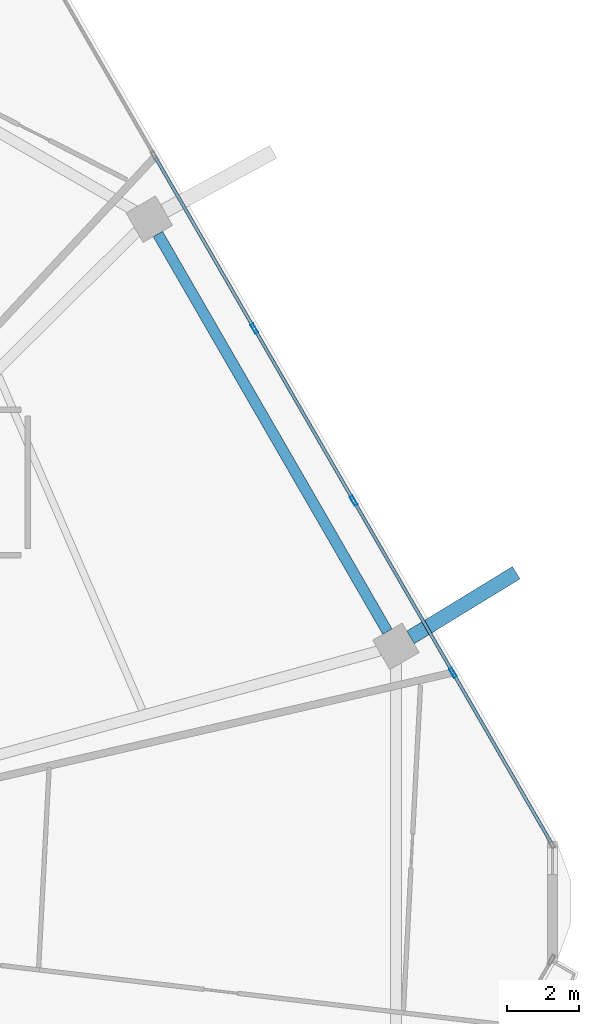
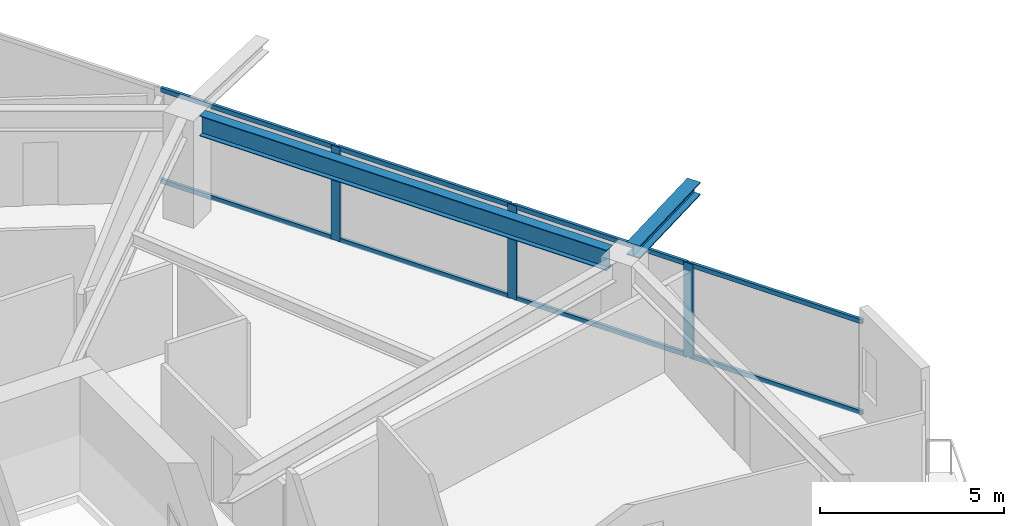
# One storey, part 14 of 26: 11 members, 2 beams, 1 element without a shape of its own.
"""IFC4 building model written with IfcOpenShell, lengths in metres."""

from ifc_helpers import new_model, si_unit, direction, frame, origin, origin_2d, place, context, subcontext, project, spatial, hollow_rectangle, i_section, extrude, material, material_profile, profile_set, type_object, element, aggregate, save


model = new_model("IFC4")

# Units and contexts
model_context = context("Model", 3, precision=1e-05, world=origin(), true_north=direction((0.0, 1.0)))
body_context = subcontext(model_context, "Body", "Model", "MODEL_VIEW")
ifc_project = project(units=[si_unit("LENGTHUNIT", "METRE"), si_unit("AREAUNIT", "SQUARE_METRE"), si_unit("VOLUMEUNIT", "CUBIC_METRE"), si_unit("PLANEANGLEUNIT", "RADIAN"), si_unit("MASSUNIT", "GRAM", prefix="KILO")], contexts=[model_context])

# Site, building, storey
site_placement = place(None, origin())
site = spatial("IfcSite", under=ifc_project, at=site_placement, CompositionType="ELEMENT")
building_placement = place(site_placement, origin())
building = spatial("IfcBuilding", under=site, at=building_placement, Name="Zuhravey Tower", CompositionType="ELEMENT")
storey_placement = place(building_placement, frame((0.0, 0.0, 211.199951171875)))
storey = spatial("IfcBuildingStorey", under=building, at=storey_placement, Name="L53", CompositionType="ELEMENT", Elevation=211.199951171875)

# Curtain wall, members
ifc_material_1 = material(Name="Thermally broken anodised aluminium", Category="aluminium")
curtain_wall_type = type_object("IfcCurtainWallType", Name="Zone 1-2 Residential Curtain Wall CW3", PredefinedType="NOTDEFINED", material=ifc_material_1)
curtain_wall_placement = place(storey_placement, origin())
curtain_wall = element("IfcCurtainWall", 1, at=curtain_wall_placement, inside=storey, type_object=curtain_wall_type, Name="L53 CW3 CW-L53-F1-1", PredefinedType="NOTDEFINED")
ifc_material_2 = material(Name="Anodised aluminium", Category="aluminium")
ifc_material_profile_1 = material_profile(ifc_material_2, hollow_rectangle(XDim=0.090087890625, YDim=0.284912109375, WallThickness=0.0048828125, at=origin_2d()), Name="ALU-RHS-90x285x5")
ifc_profile_set_1 = profile_set([ifc_material_profile_1], Name="Anodised aluminium")
member_type_1 = type_object("IfcMemberType", Name="Curtain-Wall Mullion 90x180", PredefinedType="MULLION", material=ifc_profile_set_1)
member_1_placement = place(storey_placement, frame((58.155029296875, 47.992431640625, 0.0), z_axis=(0.0, 0.0, 1.0), x_axis=(0.866025138215, 0.500000459979, 0.0)))
member_1 = element("IfcMember", 2, at=member_1_placement, type_object=member_type_1, Name="CW3 mullion 3", PredefinedType="MULLION", context=body_context, shape_type="SweptSolid", body=[
    extrude(hollow_rectangle(XDim=0.090087890625, YDim=0.284912109375, WallThickness=0.0048828125, at=origin_2d()), origin(), (0.0, 0.0, 1.0), 3.1220703125),
])
member_2_placement = place(storey_placement, frame((60.92724609375, 43.190673828125, 0.0), z_axis=(0.0, 0.0, 1.0), x_axis=(0.866025138215, 0.500000459979, 0.0)))
member_2 = element("IfcMember", 3, at=member_2_placement, type_object=member_type_1, Name="CW3 mullion 4", PredefinedType="MULLION", context=body_context, shape_type="SweptSolid", body=[
    extrude(hollow_rectangle(XDim=0.090087890625, YDim=0.284912109375, WallThickness=0.0048828125, at=origin_2d()), origin(), (0.0, 0.0, 1.0), 3.1220703125),
])
member_3_placement = place(storey_placement, frame((63.699462890625, 38.38916015625, 0.0), z_axis=(0.0, 0.0, 1.0), x_axis=(0.866025138215, 0.500000459979, 0.0)))
member_3 = element("IfcMember", 4, at=member_3_placement, type_object=member_type_1, Name="CW3 mullion 5", PredefinedType="MULLION", context=body_context, shape_type="SweptSolid", body=[
    extrude(hollow_rectangle(XDim=0.090087890625, YDim=0.284912109375, WallThickness=0.0048828125, at=origin_2d()), origin(), (0.0, 0.0, 1.0), 3.1220703125),
])
ifc_material_profile_2 = material_profile(ifc_material_2, hollow_rectangle(XDim=0.090087890625, YDim=0.14990234375, WallThickness=0.0048828125, at=origin_2d()), Name="ALU-RHS-90x150x5")
ifc_profile_set_2 = profile_set([ifc_material_profile_2], Name="Anodised aluminium")
member_type_2 = type_object("IfcMemberType", Name="Curtain-Wall Transom 90x150", PredefinedType="USERDEFINED", material=ifc_profile_set_2)
member_4_placement = place(storey_placement, frame((55.405517578125, 52.755126953125, 0.045166015625), z_axis=(0.49996138257, -0.86604769842, 0.0), x_axis=(0.86604769842, 0.49996138257, 0.0)))
member_4 = element("IfcMember", 5, at=member_4_placement, type_object=member_type_2, Name="CW3 transom 2.1", ObjectType="TRANSOM", PredefinedType="USERDEFINED", context=body_context, shape_type="SweptSolid", body=[
    extrude(hollow_rectangle(XDim=0.090087890625, YDim=0.14990234375, WallThickness=0.0048828125, at=origin_2d()), origin(), (0.0, 0.0, 1.0), 5.45458984375),
])
member_5_placement = place(storey_placement, frame((55.405517578125, 52.755126953125, 3.0771484375), z_axis=(0.49996138257, -0.86604769842, 0.0), x_axis=(0.86604769842, 0.49996138257, 0.0)))
member_5 = element("IfcMember", 6, at=member_5_placement, type_object=member_type_2, Name="CW3 transom 2.2", ObjectType="TRANSOM", PredefinedType="USERDEFINED", context=body_context, shape_type="SweptSolid", body=[
    extrude(hollow_rectangle(XDim=0.090087890625, YDim=0.14990234375, WallThickness=0.0048828125, at=origin_2d()), origin(), (0.0, 0.0, 1.0), 5.45458984375),
])
member_6_placement = place(storey_placement, frame((58.177734375, 47.953369140625, 0.045166015625), z_axis=(0.499980763544, -0.866036509673, 0.0), x_axis=(0.866036509673, 0.499980763544, 0.0)))
member_6 = element("IfcMember", 7, at=member_6_placement, type_object=member_type_2, Name="CW3 transom 3.1", ObjectType="TRANSOM", PredefinedType="USERDEFINED", context=body_context, shape_type="SweptSolid", body=[
    extrude(hollow_rectangle(XDim=0.090087890625, YDim=0.14990234375, WallThickness=0.0048828125, at=origin_2d()), origin(), (0.0, 0.0, 1.0), 5.454345703125),
])
member_7_placement = place(storey_placement, frame((58.177734375, 47.953369140625, 3.0771484375), z_axis=(0.499980763544, -0.866036509673, 0.0), x_axis=(0.866036509673, 0.499980763544, 0.0)))
member_7 = element("IfcMember", 8, at=member_7_placement, type_object=member_type_2, Name="CW3 transom 3.2", ObjectType="TRANSOM", PredefinedType="USERDEFINED", context=body_context, shape_type="SweptSolid", body=[
    extrude(hollow_rectangle(XDim=0.090087890625, YDim=0.14990234375, WallThickness=0.0048828125, at=origin_2d()), origin(), (0.0, 0.0, 1.0), 5.454345703125),
])
member_8_placement = place(storey_placement, frame((60.949951171875, 43.15185546875, 0.045166015625), z_axis=(0.49996138257, -0.86604769842, 0.0), x_axis=(0.86604769842, 0.49996138257, 0.0)))
member_8 = element("IfcMember", 9, at=member_8_placement, type_object=member_type_2, Name="CW3 transom 4.1", ObjectType="TRANSOM", PredefinedType="USERDEFINED", context=body_context, shape_type="SweptSolid", body=[
    extrude(hollow_rectangle(XDim=0.090087890625, YDim=0.14990234375, WallThickness=0.0048828125, at=origin_2d()), origin(), (0.0, 0.0, 1.0), 5.45458984375),
])
member_9_placement = place(storey_placement, frame((60.949951171875, 43.15185546875, 3.0771484375), z_axis=(0.49996138257, -0.86604769842, 0.0), x_axis=(0.86604769842, 0.49996138257, 0.0)))
member_9 = element("IfcMember", 10, at=member_9_placement, type_object=member_type_2, Name="CW3 transom 4.2", ObjectType="TRANSOM", PredefinedType="USERDEFINED", context=body_context, shape_type="SweptSolid", body=[
    extrude(hollow_rectangle(XDim=0.090087890625, YDim=0.14990234375, WallThickness=0.0048828125, at=origin_2d()), origin(), (0.0, 0.0, 1.0), 5.45458984375),
])
member_10_placement = place(storey_placement, frame((63.72216796875, 38.35009765625, 0.045166015625), z_axis=(0.499993332629, -0.866029253159, 0.0), x_axis=(0.866029253159, 0.499993332629, 0.0)))
member_10 = element("IfcMember", 11, at=member_10_placement, type_object=member_type_2, Name="CW3 transom 5.1", ObjectType="TRANSOM", PredefinedType="USERDEFINED", context=body_context, shape_type="SweptSolid", body=[
    extrude(hollow_rectangle(XDim=0.090087890625, YDim=0.14990234375, WallThickness=0.0048828125, at=origin_2d()), origin(), (0.0, 0.0, 1.0), 5.4091796875),
])
member_11_placement = place(storey_placement, frame((63.72216796875, 38.35009765625, 3.0771484375), z_axis=(0.499993332629, -0.866029253159, 0.0), x_axis=(0.866029253159, 0.499993332629, 0.0)))
member_11 = element("IfcMember", 12, at=member_11_placement, type_object=member_type_2, Name="CW3 transom 5.2", ObjectType="TRANSOM", PredefinedType="USERDEFINED", context=body_context, shape_type="SweptSolid", body=[
    extrude(hollow_rectangle(XDim=0.090087890625, YDim=0.14990234375, WallThickness=0.0048828125, at=origin_2d()), origin(), (0.0, 0.0, 1.0), 5.4091796875),
])
aggregate(curtain_wall, [member_1, member_2, member_3, member_4, member_5, member_6, member_7, member_8, member_9, member_10, member_11])

# Beams
ifc_material_3 = material(Name="Steel SM460", Category="steel")
ifc_material_profile_3 = material_profile(ifc_material_3, i_section(OverallWidth=0.406982421875, OverallDepth=0.427978515625, WebThickness=0.02001953125, FlangeThickness=0.034912109375, at=origin_2d()), Name="H-428x407x20x35")
ifc_profile_set_3 = profile_set([ifc_material_profile_3], Name="Steel SM460")
beam_type_1 = type_object("IfcBeamType", Name="Exoskeleton Node Tie Beam H428x407", PredefinedType="BEAM", material=ifc_profile_set_3)
beam_1_placement = place(storey_placement, frame((62.516357421875, 39.376708984375, 3.3359375), z_axis=(0.852967452367, 0.521964103365, 0.0), x_axis=(-0.521964103365, 0.852967452367, 0.0)))
element("IfcBeam", 13, at=beam_1_placement, inside=storey, type_object=beam_type_1, Name="L53 Exoskeleton Node Tie NT1-01", PredefinedType="BEAM", context=body_context, shape_type="SweptSolid", body=[
    extrude(i_section(OverallWidth=0.406982421875, OverallDepth=0.427978515625, WebThickness=0.02001953125, FlangeThickness=0.034912109375, at=origin_2d()), origin(), (0.0, 0.0, 1.0), 3.45703125),
])
ifc_material_4 = material(Name="Steel SM355", Category="steel")
ifc_material_profile_4 = material_profile(ifc_material_4, i_section(OverallWidth=0.300048828125, OverallDepth=0.679931640625, WebThickness=0.012939453125, FlangeThickness=0.02197265625, at=origin_2d()), Name="H-680x300x13x22")
ifc_profile_set_4 = profile_set([ifc_material_profile_4], Name="Steel SM355")
beam_type_2 = type_object("IfcBeamType", Name="Perimeter Ring Beam H680x300", PredefinedType="BEAM", material=ifc_profile_set_4)
beam_2_placement = place(storey_placement, frame((61.86865234375, 39.54052734375, 3.2099609375), z_axis=(-0.500003505699, 0.866023379758, 0.0), x_axis=(-0.866023379758, -0.500003505699, 0.0)))
element("IfcBeam", 14, at=beam_2_placement, inside=storey, type_object=beam_type_2, Name="L53 PB2 BM-L53-PB-01", PredefinedType="BEAM", context=body_context, shape_type="SweptSolid", body=[
    extrude(i_section(OverallWidth=0.300048828125, OverallDepth=0.679931640625, WebThickness=0.012939453125, FlangeThickness=0.02197265625, at=origin_2d()), origin(), (0.0, 0.0, 1.0), 12.80810546875),
])

save(model, "model.ifc")
